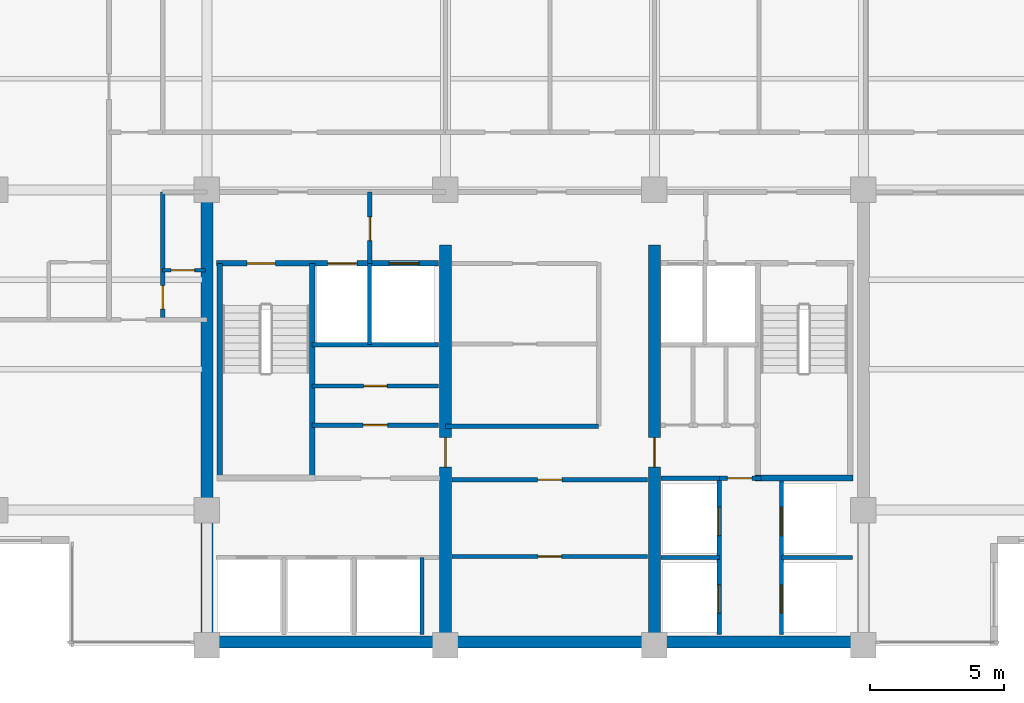
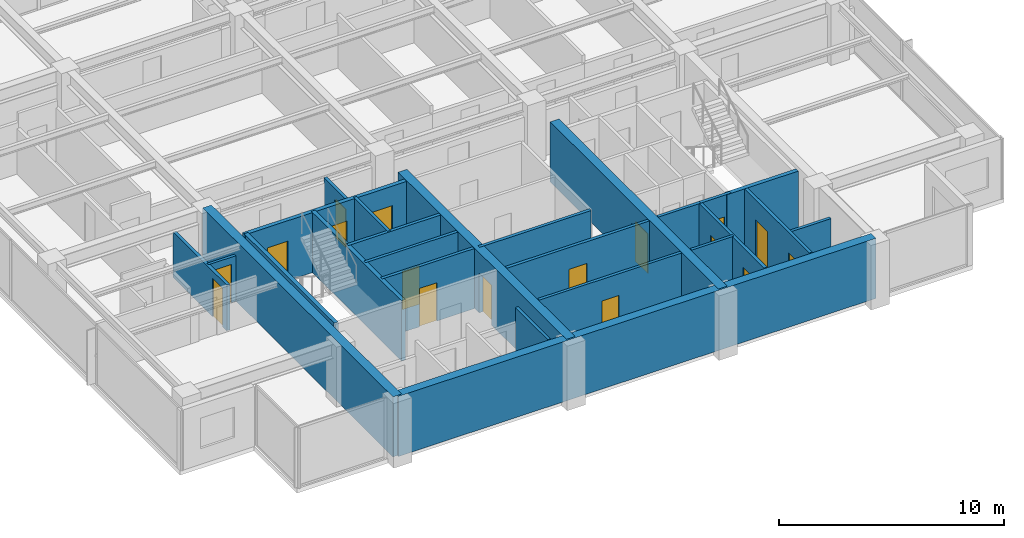
# One storey, part 7 of 15: 25 walls, 17 doors, 17 openings.
"""IFC4 building model written with IfcOpenShell, lengths in metres."""

from ifc_helpers import new_model, si_unit, direction, frame, frame_2d, origin, place, context, subcontext, project, spatial, rectangle, extrude, material, layer, layer_set, type_object, element, fill, save


model = new_model("IFC4")

# Units and contexts
model_context = context("Model", 3, precision=1e-05, world=origin(), true_north=direction((0.0, 1.0)))
body_context = subcontext(model_context, "Body", "Model", "MODEL_VIEW")
ifc_project = project(units=[si_unit("LENGTHUNIT", "METRE"), si_unit("AREAUNIT", "SQUARE_METRE"), si_unit("VOLUMEUNIT", "CUBIC_METRE"), si_unit("PLANEANGLEUNIT", "RADIAN"), si_unit("MASSUNIT", "GRAM", prefix="KILO")], contexts=[model_context])

# Site, building, storey
site_placement = place(None, origin())
site = spatial("IfcSite", under=ifc_project, at=site_placement, CompositionType="ELEMENT")
building_placement = place(site_placement, origin())
building = spatial("IfcBuilding", under=site, at=building_placement, Name="Qalmaran Belvedere Hotel", CompositionType="ELEMENT")
storey_placement = place(building_placement, frame((0.0, 0.0, 221.39990234375)))
storey = spatial("IfcBuildingStorey", under=building, at=storey_placement, Name="L56", CompositionType="ELEMENT", Elevation=221.39990234375)

# Wall
ifc_material_1 = material(Name="Concrete C50/60", Category="concrete")
ifc_layer_1 = layer(ifc_material_1, 0.449951171875, Name="Concrete C50/60")
ifc_layer_set_1 = layer_set([ifc_layer_1], Name="Concrete C50/60")
wall_type_1 = type_object("IfcWallType", Name="WL-CORE-450-C50", PredefinedType="SHEAR", material=ifc_layer_set_1)
wall_1_placement = place(storey_placement, frame((20.300048828125, 3.5, 0.0), z_axis=(0.0, 0.0, 1.0), x_axis=(0.0, 1.0, 0.0)))
element("IfcWall", 1, at=wall_1_placement, inside=storey, type_object=wall_type_1, Name="L56 West Core Shear Wall", PredefinedType="SHEAR", context=body_context, shape_type="SweptSolid", body=[
    extrude(rectangle(XDim=16.89990234375, YDim=0.449951171875, at=frame_2d((8.449951171875, 0.0))), origin(), (0.0, 0.0, 1.0), 3.260009765625),
])

# Wall, opening, door
wall_2_placement = place(storey_placement, frame((29.199951171875, 3.5, 0.0), z_axis=(0.0, 0.0, 1.0), x_axis=(0.0, 1.0, 0.0)))
wall_2 = element("IfcWall", 2, at=wall_2_placement, inside=storey, type_object=wall_type_1, Name="L56 Core West Spine Shear Wall", PredefinedType="SHEAR", context=body_context, shape_type="SweptSolid", body=[
    extrude(rectangle(XDim=14.949951171875, YDim=0.449951171875, at=frame_2d((7.47509765625, 0.0))), origin(), (0.0, 0.0, 1.0), 3.260009765625),
])
opening_1_placement = place(wall_2_placement, frame((7.75, 0.0, 0.0), z_axis=(0.0, 0.0, 1.0), x_axis=(-1.0, 0.0, 0.0)))
opening_1 = element("IfcOpeningElement", 3, at=opening_1_placement, cuts=wall_2, Name="Opening FD90", PredefinedType="OPENING", context=body_context, shape_type="SweptSolid", body=[
    extrude(rectangle(XDim=1.10009765625, YDim=2.14990234375, at=frame_2d((0.550048828125, 1.074951171875))), frame((0.0, 0.23486328125, 0.0), z_axis=(0.0, -1.0, 0.0), x_axis=(1.0, 0.0, 0.0)), (0.0, 0.0, 1.0), 0.469970703125),
])
ifc_material_2 = material(Name="Steel S355JR", Category="steel")
door_type_1 = type_object("IfcDoorType", Name="DR-FD90-1100X2150", OperationType="NOTDEFINED", PredefinedType="DOOR", material=ifc_material_2)
door_1_placement = place(opening_1_placement, origin())
door_1 = element("IfcDoor", 4, at=door_1_placement, inside=storey, type_object=door_type_1, Name="L56 Core West Cross-Lobby Door", OperationType="SINGLE_SWING_RIGHT", OverallHeight=2.14990234375, OverallWidth=1.10009765625, PredefinedType="DOOR", context=body_context, shape_type="SweptSolid", body=[
    extrude(rectangle(XDim=1.10009765625, YDim=2.14990234375, at=frame_2d((0.550048828125, 1.074951171875))), frame((0.0, 0.02490234375, 0.0), z_axis=(0.0, -1.0, 0.0), x_axis=(1.0, 0.0, 0.0)), (0.0, 0.0, 1.0), 0.050048828125),
])
fill(opening_1, door_1)

wall_3_placement = place(storey_placement, frame((37.0, 3.5, 0.0), z_axis=(0.0, 0.0, 1.0), x_axis=(0.0, 1.0, 0.0)))
wall_3 = element("IfcWall", 5, at=wall_3_placement, inside=storey, type_object=wall_type_1, Name="L56 Core East Spine Shear Wall", PredefinedType="SHEAR", context=body_context, shape_type="SweptSolid", body=[
    extrude(rectangle(XDim=14.949951171875, YDim=0.449951171875, at=frame_2d((7.47509765625, 0.0))), origin(), (0.0, 0.0, 1.0), 3.260009765625),
])
opening_2_placement = place(wall_3_placement, frame((6.64990234375, 0.0, 0.0)))
opening_2 = element("IfcOpeningElement", 6, at=opening_2_placement, cuts=wall_3, Name="Opening FD90", PredefinedType="OPENING", context=body_context, shape_type="SweptSolid", body=[
    extrude(rectangle(XDim=1.10009765625, YDim=2.14990234375, at=frame_2d((0.550048828125, 1.074951171875))), frame((0.0, 0.23486328125, 0.0), z_axis=(0.0, -1.0, 0.0), x_axis=(1.0, 0.0, 0.0)), (0.0, 0.0, 1.0), 0.469970703125),
])
door_2_placement = place(opening_2_placement, origin())
door_2 = element("IfcDoor", 7, at=door_2_placement, inside=storey, type_object=door_type_1, Name="L56 Core East Cross-Lobby Door", OperationType="SINGLE_SWING_LEFT", OverallHeight=2.14990234375, OverallWidth=1.10009765625, PredefinedType="DOOR", context=body_context, shape_type="SweptSolid", body=[
    extrude(rectangle(XDim=1.10009765625, YDim=2.14990234375, at=frame_2d((0.550048828125, 1.074951171875))), frame((0.0, 0.02490234375, 0.0), z_axis=(0.0, -1.0, 0.0), x_axis=(1.0, 0.0, 0.0)), (0.0, 0.0, 1.0), 0.050048828125),
])
fill(opening_2, door_2)

# Wall
ifc_layer_2 = layer(ifc_material_1, 0.43994140625, Name="Concrete C50/60")
ifc_layer_set_2 = layer_set([ifc_layer_2], Name="Concrete C50/60")
wall_type_2 = type_object("IfcWallType", Name="WL-CORES-440-EXT", PredefinedType="SHEAR", material=ifc_layer_set_2)
wall_4_placement = place(storey_placement, frame((20.300048828125, 3.6298828125, 0.0), z_axis=(0.0, 0.0, 1.0), x_axis=(1.0, 0.0, 0.0)))
element("IfcWall", 8, at=wall_4_placement, inside=storey, type_object=wall_type_2, Name="L56 South Core Shear Wall", PredefinedType="SHEAR", context=body_context, shape_type="SweptSolid", body=[
    extrude(rectangle(XDim=24.5, YDim=0.43994140625, at=frame_2d((12.25, 0.0))), origin(), (0.0, 0.0, 1.0), 3.260009765625),
])

# Wall, opening, door
ifc_material_3 = material(Name="Gypsum Stud Partition")
ifc_layer_3 = layer(ifc_material_3, 0.139892578125, Name="Gypsum Stud Partition")
ifc_layer_set_3 = layer_set([ifc_layer_3], Name="Gypsum Stud Partition")
wall_type_3 = type_object("IfcWallType", Name="WL-INT-140-NR", PredefinedType="PARTITIONING", material=ifc_layer_set_3)
wall_5_placement = place(storey_placement, frame((18.64990234375, 17.5, 0.0), z_axis=(0.0, 0.0, 1.0), x_axis=(1.0, 0.0, 0.0)))
wall_5 = element("IfcWall", 9, at=wall_5_placement, inside=storey, type_object=wall_type_3, Name="L56 Partition WL-L56-WCLSUB", PredefinedType="PARTITIONING", context=body_context, shape_type="SweptSolid", body=[
    extrude(rectangle(XDim=1.60009765625, YDim=0.139892578125, at=frame_2d((0.800048828125, 0.0))), origin(), (0.0, 0.0, 1.0), 2.47216796875),
])
opening_3_placement = place(wall_5_placement, frame((1.193115234375, 0.0, 0.0), z_axis=(0.0, 0.0, 1.0), x_axis=(-1.0, 0.0, 0.0)))
opening_3 = element("IfcOpeningElement", 10, at=opening_3_placement, cuts=wall_5, Name="Opening D-BATH", PredefinedType="OPENING", context=body_context, shape_type="SweptSolid", body=[
    extrude(rectangle(XDim=0.8798828125, YDim=2.080078125, at=frame_2d((0.43994140625, 1.0400390625))), frame((0.0, 0.080078125, 0.0), z_axis=(0.0, -1.0, 0.0), x_axis=(1.0, 0.0, 0.0)), (0.0, 0.0, 1.0), 0.159912109375),
])
ifc_material_4 = material(Name="Engineered Oak Veneer")
door_type_2 = type_object("IfcDoorType", Name="DR-INT-BATH-880X2080", OperationType="NOTDEFINED", PredefinedType="DOOR", material=ifc_material_4)
door_3_placement = place(opening_3_placement, origin())
door_3 = element("IfcDoor", 11, at=door_3_placement, inside=storey, type_object=door_type_2, Name="L56 Closet Alcove Door", OperationType="SINGLE_SWING_RIGHT", OverallHeight=2.080078125, OverallWidth=0.8798828125, PredefinedType="DOOR", context=body_context, shape_type="SweptSolid", body=[
    extrude(rectangle(XDim=0.8798828125, YDim=2.080078125, at=frame_2d((0.43994140625, 1.0400390625))), frame((0.0, 0.02490234375, 0.0), z_axis=(0.0, -1.0, 0.0), x_axis=(1.0, 0.0, 0.0)), (0.0, 0.0, 1.0), 0.050048828125),
])
fill(opening_3, door_3)

# Walls
ifc_layer_4 = layer(ifc_material_3, 0.14990234375, Name="Gypsum Stud Partition")
ifc_layer_set_4 = layer_set([ifc_layer_4], Name="Gypsum Stud Partition")
wall_type_4 = type_object("IfcWallType", Name="WL-INT-150-EI120", PredefinedType="PARTITIONING", material=ifc_layer_set_4)
wall_6_placement = place(storey_placement, frame((26.360107421875, 14.719970703125, 0.0), z_axis=(0.0, 0.0, 1.0), x_axis=(0.0, 1.0, 0.0)))
element("IfcWall", 12, at=wall_6_placement, inside=storey, type_object=wall_type_4, Name="L56 Partition WL-FF1M-L56", PredefinedType="PARTITIONING", context=body_context, shape_type="SweptSolid", body=[
    extrude(rectangle(XDim=3.0400390625, YDim=0.14990234375, at=frame_2d((1.52001953125, 0.0))), origin(), (0.0, 0.0, 1.0), 3.260009765625),
])
wall_7_placement = place(storey_placement, frame((28.320068359375, 3.89990234375, 0.0), z_axis=(0.0, 0.0, 1.0), x_axis=(0.0, 1.0, 0.0)))
element("IfcWall", 13, at=wall_7_placement, inside=storey, type_object=wall_type_4, Name="L56 Partition WL-POM3-L56", PredefinedType="PARTITIONING", context=body_context, shape_type="SweptSolid", body=[
    extrude(rectangle(XDim=2.880126953125, YDim=0.14990234375, at=frame_2d((1.43994140625, 0.0))), origin(), (0.0, 0.0, 1.0), 3.260009765625),
])
wall_8_placement = place(storey_placement, frame((37.25, 6.780029296875, 0.0), z_axis=(0.0, 0.0, 1.0), x_axis=(1.0, 0.0, 0.0)))
element("IfcWall", 14, at=wall_8_placement, inside=storey, type_object=wall_type_4, Name="L56 Partition WL-PHMW-L56", PredefinedType="PARTITIONING", context=body_context, shape_type="SweptSolid", body=[
    extrude(rectangle(XDim=2.169921875, YDim=0.14990234375, at=frame_2d((1.0849609375, 0.0))), origin(), (0.0, 0.0, 1.0), 3.260009765625),
])
wall_9_placement = place(storey_placement, frame((41.739990234375, 6.780029296875, 0.0), z_axis=(0.0, 0.0, 1.0), x_axis=(1.0, 0.0, 0.0)))
element("IfcWall", 15, at=wall_9_placement, inside=storey, type_object=wall_type_4, Name="L56 Partition WL-PHME-L56", PredefinedType="PARTITIONING", context=body_context, shape_type="SweptSolid", body=[
    extrude(rectangle(XDim=2.659912109375, YDim=0.14990234375, at=frame_2d((1.330078125, 0.0))), origin(), (0.0, 0.0, 1.0), 2.47216796875),
])

# Wall, opening, door
ifc_layer_5 = layer(ifc_material_3, 0.14990234375, Name="Gypsum Stud Partition")
ifc_layer_set_5 = layer_set([ifc_layer_5], Name="Gypsum Stud Partition")
wall_type_5 = type_object("IfcWallType", Name="WL-INT-150-EI60", PredefinedType="PARTITIONING", material=ifc_layer_set_5)
wall_10_placement = place(storey_placement, frame((24.219970703125, 13.18505859375, 0.0), z_axis=(0.0, 0.0, 1.0), x_axis=(1.0, 0.0, 0.0)))
wall_10 = element("IfcWall", 16, at=wall_10_placement, inside=storey, type_object=wall_type_5, Name="L56 Partition WL-L56-KWHM", PredefinedType="PARTITIONING", context=body_context, shape_type="SweptSolid", body=[
    extrude(rectangle(XDim=4.72998046875, YDim=0.14990234375, at=frame_2d((2.364990234375, 0.0))), origin(), (0.0, 0.0, 1.0), 3.260009765625),
])
opening_4_placement = place(wall_10_placement, frame((1.925048828125, 0.0, 0.0)))
opening_4 = element("IfcOpeningElement", 17, at=opening_4_placement, cuts=wall_10, Name="Opening FD60B", PredefinedType="OPENING", context=body_context, shape_type="SweptSolid", body=[
    extrude(rectangle(XDim=0.8798828125, YDim=2.080078125, at=frame_2d((0.43994140625, 1.0400390625))), frame((0.0, 0.0849609375, 0.0), z_axis=(0.0, -1.0, 0.0), x_axis=(1.0, 0.0, 0.0)), (0.0, 0.0, 1.0), 0.169921875),
])
door_type_3 = type_object("IfcDoorType", Name="DR-FD60B-880X2080", OperationType="NOTDEFINED", PredefinedType="DOOR", material=ifc_material_2)
door_4_placement = place(opening_4_placement, origin())
door_4 = element("IfcDoor", 18, at=door_4_placement, inside=storey, type_object=door_type_3, Name="L56 Staff Core WC Door", OperationType="SINGLE_SWING_RIGHT", OverallHeight=2.080078125, OverallWidth=0.8798828125, PredefinedType="DOOR", context=body_context, shape_type="SweptSolid", body=[
    extrude(rectangle(XDim=0.8798828125, YDim=2.080078125, at=frame_2d((0.43994140625, 1.0400390625))), frame((0.0, 0.02490234375, 0.0), z_axis=(0.0, -1.0, 0.0), x_axis=(1.0, 0.0, 0.0)), (0.0, 0.0, 1.0), 0.050048828125),
])
fill(opening_4, door_4)

wall_11_placement = place(storey_placement, frame((29.449951171875, 6.81494140625, 0.0), z_axis=(0.0, 0.0, 1.0), x_axis=(1.0, 0.0, 0.0)))
wall_11 = element("IfcWall", 19, at=wall_11_placement, inside=storey, type_object=wall_type_5, Name="L56 Partition WL-L56-KPLHM", PredefinedType="PARTITIONING", context=body_context, shape_type="SweptSolid", body=[
    extrude(rectangle(XDim=7.300048828125, YDim=0.14990234375, at=frame_2d((3.64990234375, 0.0))), origin(), (0.0, 0.0, 1.0), 3.260009765625),
])
opening_5_placement = place(wall_11_placement, frame((4.08984375, 0.0, 0.0), z_axis=(0.0, 0.0, 1.0), x_axis=(-1.0, 0.0, 0.0)))
opening_5 = element("IfcOpeningElement", 20, at=opening_5_placement, cuts=wall_11, Name="Opening FD60B", PredefinedType="OPENING", context=body_context, shape_type="SweptSolid", body=[
    extrude(rectangle(XDim=0.8798828125, YDim=2.080078125, at=frame_2d((0.43994140625, 1.0400390625))), frame((0.0, 0.0849609375, 0.0), z_axis=(0.0, -1.0, 0.0), x_axis=(1.0, 0.0, 0.0)), (0.0, 0.0, 1.0), 0.169921875),
])
door_5_placement = place(opening_5_placement, origin())
door_5 = element("IfcDoor", 21, at=door_5_placement, inside=storey, type_object=door_type_3, Name="L56 Housekeeping and Linen Room Door", OperationType="SINGLE_SWING_LEFT", OverallHeight=2.080078125, OverallWidth=0.8798828125, PredefinedType="DOOR", context=body_context, shape_type="SweptSolid", body=[
    extrude(rectangle(XDim=0.8798828125, YDim=2.080078125, at=frame_2d((0.43994140625, 1.0400390625))), frame((0.0, 0.02490234375, 0.0), z_axis=(0.0, -1.0, 0.0), x_axis=(1.0, 0.0, 0.0)), (0.0, 0.0, 1.0), 0.050048828125),
])
fill(opening_5, door_5)

ifc_layer_6 = layer(ifc_material_3, 0.159912109375, Name="Gypsum Stud Partition")
ifc_layer_set_6 = layer_set([ifc_layer_6], Name="Gypsum Stud Partition")
wall_type_6 = type_object("IfcWallType", Name="WL-INT-160-EI120", PredefinedType="PARTITIONING", material=ifc_layer_set_6)
wall_12_placement = place(storey_placement, frame((26.3798828125, 17.760009765625, 0.0), z_axis=(0.0, 0.0, 1.0), x_axis=(0.0, 1.0, 0.0)))
wall_12 = element("IfcWall", 22, at=wall_12_placement, inside=storey, type_object=wall_type_6, Name="L56 Partition WL-FFSV1-L56", PredefinedType="PARTITIONING", context=body_context, shape_type="SweptSolid", body=[
    extrude(rectangle(XDim=2.659912109375, YDim=0.159912109375, at=frame_2d((1.330078125, 0.0))), origin(), (0.0, 0.0, 1.0), 2.7060546875),
])
opening_6_placement = place(wall_12_placement, frame((0.85009765625, 0.0, 0.0)))
opening_6 = element("IfcOpeningElement", 23, at=opening_6_placement, cuts=wall_12, Name="Opening FD60B", PredefinedType="OPENING", context=body_context, shape_type="SweptSolid", body=[
    extrude(rectangle(XDim=0.8798828125, YDim=2.080078125, at=frame_2d((0.43994140625, 1.0400390625))), frame((0.0, 0.08984375, 0.0), z_axis=(0.0, -1.0, 0.0), x_axis=(1.0, 0.0, 0.0)), (0.0, 0.0, 1.0), 0.179931640625),
])
door_6_placement = place(opening_6_placement, origin())
door_6 = element("IfcDoor", 24, at=door_6_placement, inside=storey, type_object=door_type_3, Name="L56 Service Lobby West Door", OperationType="SINGLE_SWING_RIGHT", OverallHeight=2.080078125, OverallWidth=0.8798828125, PredefinedType="DOOR", context=body_context, shape_type="SweptSolid", body=[
    extrude(rectangle(XDim=0.8798828125, YDim=2.080078125, at=frame_2d((0.43994140625, 1.0400390625))), frame((0.0, 0.02490234375, 0.0), z_axis=(0.0, -1.0, 0.0), x_axis=(1.0, 0.0, 0.0)), (0.0, 0.0, 1.0), 0.050048828125),
])
fill(opening_6, door_6)

# Wall
wall_13_placement = place(storey_placement, frame((24.219970703125, 14.719970703125, 0.0), z_axis=(0.0, 0.0, 1.0), x_axis=(1.0, 0.0, 0.0)))
element("IfcWall", 25, at=wall_13_placement, inside=storey, type_object=wall_type_6, Name="L56 Partition WL-FF1S-L56", PredefinedType="PARTITIONING", context=body_context, shape_type="SweptSolid", body=[
    extrude(rectangle(XDim=4.72998046875, YDim=0.159912109375, at=frame_2d((2.364990234375, 0.0))), origin(), (0.0, 0.0, 1.0), 3.260009765625),
])

# Wall, openings, doors
wall_14_placement = place(storey_placement, frame((39.419921875, 3.89990234375, 0.0), z_axis=(0.0, 0.0, 1.0), x_axis=(0.0, 1.0, 0.0)))
wall_14 = element("IfcWall", 26, at=wall_14_placement, inside=storey, type_object=wall_type_6, Name="L56 Partition WL-PHW-L56", PredefinedType="PARTITIONING", context=body_context, shape_type="SweptSolid", body=[
    extrude(rectangle(XDim=5.840087890625, YDim=0.159912109375, at=frame_2d((2.919921875, 0.0))), origin(), (0.0, 0.0, 1.0), 3.260009765625),
])
opening_7_placement = place(wall_14_placement, frame((1.860107421875, 0.0, 0.0), z_axis=(0.0, 0.0, 1.0), x_axis=(-1.0, 0.0, 0.0)))
opening_7 = element("IfcOpeningElement", 27, at=opening_7_placement, cuts=wall_14, Name="Opening LD-P2", PredefinedType="OPENING", context=body_context, shape_type="SweptSolid", body=[
    extrude(rectangle(XDim=1.06005859375, YDim=2.159912109375, at=frame_2d((0.530029296875, 1.080078125))), frame((0.0, 0.08984375, 0.0), z_axis=(0.0, -1.0, 0.0), x_axis=(1.0, 0.0, 0.0)), (0.0, 0.0, 1.0), 0.179931640625),
])
opening_8_placement = place(wall_14_placement, frame((4.760009765625, 0.0, 0.0), z_axis=(0.0, 0.0, 1.0), x_axis=(-1.0, 0.0, 0.0)))
opening_8 = element("IfcOpeningElement", 28, at=opening_8_placement, cuts=wall_14, Name="Opening LD-P2", PredefinedType="OPENING", context=body_context, shape_type="SweptSolid", body=[
    extrude(rectangle(XDim=1.06005859375, YDim=2.159912109375, at=frame_2d((0.530029296875, 1.080078125))), frame((0.0, 0.08984375, 0.0), z_axis=(0.0, -1.0, 0.0), x_axis=(1.0, 0.0, 0.0)), (0.0, 0.0, 1.0), 0.179931640625),
])
ifc_material_5 = material(Name="Stainless Steel 1.4401", Category="steel")
door_type_4 = type_object("IfcDoorType", Name="DR-LIFT-P2-1060X2160", OperationType="DOUBLE_DOOR_SLIDING", PredefinedType="DOOR", material=ifc_material_5)
door_7_placement = place(opening_7_placement, origin())
door_7 = element("IfcDoor", 29, at=door_7_placement, inside=storey, type_object=door_type_4, Name="L56 PH1 Lift Landing Door", OperationType="DOUBLE_DOOR_SLIDING", OverallHeight=2.159912109375, OverallWidth=1.06005859375, PredefinedType="DOOR", context=body_context, shape_type="SweptSolid", body=[
    extrude(rectangle(XDim=1.06005859375, YDim=2.159912109375, at=frame_2d((0.530029296875, 1.080078125))), frame((0.0, 0.02490234375, 0.0), z_axis=(0.0, -1.0, 0.0), x_axis=(1.0, 0.0, 0.0)), (0.0, 0.0, 1.0), 0.050048828125),
])
fill(opening_7, door_7)
door_8_placement = place(opening_8_placement, origin())
door_8 = element("IfcDoor", 30, at=door_8_placement, inside=storey, type_object=door_type_4, Name="L56 PH2 Lift Landing Door", OperationType="DOUBLE_DOOR_SLIDING", OverallHeight=2.159912109375, OverallWidth=1.06005859375, PredefinedType="DOOR", context=body_context, shape_type="SweptSolid", body=[
    extrude(rectangle(XDim=1.06005859375, YDim=2.159912109375, at=frame_2d((0.530029296875, 1.080078125))), frame((0.0, 0.02490234375, 0.0), z_axis=(0.0, -1.0, 0.0), x_axis=(1.0, 0.0, 0.0)), (0.0, 0.0, 1.0), 0.050048828125),
])
fill(opening_8, door_8)

wall_15_placement = place(storey_placement, frame((41.739990234375, 3.89990234375, 0.0), z_axis=(0.0, 0.0, 1.0), x_axis=(0.0, 1.0, 0.0)))
wall_15 = element("IfcWall", 31, at=wall_15_placement, inside=storey, type_object=wall_type_6, Name="L56 Partition WL-PHE-L56", PredefinedType="PARTITIONING", context=body_context, shape_type="SweptSolid", body=[
    extrude(rectangle(XDim=5.840087890625, YDim=0.159912109375, at=frame_2d((2.919921875, 0.0))), origin(), (0.0, 0.0, 1.0), 3.260009765625),
])
opening_9_placement = place(wall_15_placement, frame((0.800048828125, 0.0, 0.0)))
opening_9 = element("IfcOpeningElement", 32, at=opening_9_placement, cuts=wall_15, Name="Opening LD-P2", PredefinedType="OPENING", context=body_context, shape_type="SweptSolid", body=[
    extrude(rectangle(XDim=1.06005859375, YDim=2.159912109375, at=frame_2d((0.530029296875, 1.080078125))), frame((0.0, 0.08984375, 0.0), z_axis=(0.0, -1.0, 0.0), x_axis=(1.0, 0.0, 0.0)), (0.0, 0.0, 1.0), 0.179931640625),
])
opening_10_placement = place(wall_15_placement, frame((3.699951171875, 0.0, 0.0)))
opening_10 = element("IfcOpeningElement", 33, at=opening_10_placement, cuts=wall_15, Name="Opening LD-P2", PredefinedType="OPENING", context=body_context, shape_type="SweptSolid", body=[
    extrude(rectangle(XDim=1.06005859375, YDim=2.159912109375, at=frame_2d((0.530029296875, 1.080078125))), frame((0.0, 0.08984375, 0.0), z_axis=(0.0, -1.0, 0.0), x_axis=(1.0, 0.0, 0.0)), (0.0, 0.0, 1.0), 0.179931640625),
])
door_9_placement = place(opening_9_placement, origin())
door_9 = element("IfcDoor", 34, at=door_9_placement, inside=storey, type_object=door_type_4, Name="L56 PH3 Lift Landing Door", OperationType="DOUBLE_DOOR_SLIDING", OverallHeight=2.159912109375, OverallWidth=1.06005859375, PredefinedType="DOOR", context=body_context, shape_type="SweptSolid", body=[
    extrude(rectangle(XDim=1.06005859375, YDim=2.159912109375, at=frame_2d((0.530029296875, 1.080078125))), frame((0.0, 0.02490234375, 0.0), z_axis=(0.0, -1.0, 0.0), x_axis=(1.0, 0.0, 0.0)), (0.0, 0.0, 1.0), 0.050048828125),
])
fill(opening_9, door_9)
door_10_placement = place(opening_10_placement, origin())
door_10 = element("IfcDoor", 35, at=door_10_placement, inside=storey, type_object=door_type_4, Name="L56 PH4 Lift Landing Door", OperationType="DOUBLE_DOOR_SLIDING", OverallHeight=2.159912109375, OverallWidth=1.06005859375, PredefinedType="DOOR", context=body_context, shape_type="SweptSolid", body=[
    extrude(rectangle(XDim=1.06005859375, YDim=2.159912109375, at=frame_2d((0.530029296875, 1.080078125))), frame((0.0, 0.02490234375, 0.0), z_axis=(0.0, -1.0, 0.0), x_axis=(1.0, 0.0, 0.0)), (0.0, 0.0, 1.0), 0.050048828125),
])
fill(opening_10, door_10)

# Wall
wall_16_placement = place(storey_placement, frame((37.25, 9.739990234375, 0.0), z_axis=(0.0, 0.0, 1.0), x_axis=(1.0, 0.0, 0.0)))
element("IfcWall", 36, at=wall_16_placement, inside=storey, type_object=wall_type_6, Name="L56 Partition WL-PHNW-L56", PredefinedType="PARTITIONING", context=body_context, shape_type="SweptSolid", body=[
    extrude(rectangle(XDim=2.169921875, YDim=0.159912109375, at=frame_2d((1.0849609375, 0.0))), origin(), (0.0, 0.0, 1.0), 3.260009765625),
])

# Wall, opening, door
wall_17_placement = place(storey_placement, frame((39.419921875, 9.739990234375, 0.0), z_axis=(0.0, 0.0, 1.0), x_axis=(1.0, 0.0, 0.0)))
wall_17 = element("IfcWall", 37, at=wall_17_placement, inside=storey, type_object=wall_type_6, Name="L56 Partition WL-PHNL-L56", PredefinedType="PARTITIONING", context=body_context, shape_type="SweptSolid", body=[
    extrude(rectangle(XDim=1.56005859375, YDim=0.159912109375, at=frame_2d((0.780029296875, 0.0))), origin(), (0.0, 0.0, 1.0), 3.260009765625),
])
opening_11_placement = place(wall_17_placement, frame((0.300048828125, 0.0, 0.0)))
opening_11 = element("IfcOpeningElement", 38, at=opening_11_placement, cuts=wall_17, Name="Opening FD60S1", PredefinedType="OPENING", context=body_context, shape_type="SweptSolid", body=[
    extrude(rectangle(XDim=0.919921875, YDim=2.080078125, at=frame_2d((0.4599609375, 1.0400390625))), frame((0.0, 0.08984375, 0.0), z_axis=(0.0, -1.0, 0.0), x_axis=(1.0, 0.0, 0.0)), (0.0, 0.0, 1.0), 0.179931640625),
])
door_type_5 = type_object("IfcDoorType", Name="DR-FD60S-920X2080", OperationType="NOTDEFINED", PredefinedType="DOOR", material=ifc_material_4)
door_11_placement = place(opening_11_placement, origin())
door_11 = element("IfcDoor", 39, at=door_11_placement, inside=storey, type_object=door_type_5, Name="L56 High-Rise Lift Lobby Passage Door", OperationType="SINGLE_SWING_LEFT", OverallHeight=2.080078125, OverallWidth=0.919921875, PredefinedType="DOOR", context=body_context, shape_type="SweptSolid", body=[
    extrude(rectangle(XDim=0.919921875, YDim=2.080078125, at=frame_2d((0.4599609375, 1.0400390625))), frame((0.0, 0.02490234375, 0.0), z_axis=(0.0, -1.0, 0.0), x_axis=(1.0, 0.0, 0.0)), (0.0, 0.0, 1.0), 0.050048828125),
])
fill(opening_11, door_11)

ifc_layer_7 = layer(ifc_material_3, 0.159912109375, Name="Gypsum Stud Partition")
ifc_layer_set_7 = layer_set([ifc_layer_7], Name="Gypsum Stud Partition")
wall_type_7 = type_object("IfcWallType", Name="WL-INT-160-EI60", PredefinedType="PARTITIONING", material=ifc_layer_set_7)
wall_18_placement = place(storey_placement, frame((24.219970703125, 11.719970703125, 0.0), z_axis=(0.0, 0.0, 1.0), x_axis=(1.0, 0.0, 0.0)))
wall_18 = element("IfcWall", 40, at=wall_18_placement, inside=storey, type_object=wall_type_7, Name="L56 Partition WL-L56-KWE1", PredefinedType="PARTITIONING", context=body_context, shape_type="SweptSolid", body=[
    extrude(rectangle(XDim=4.72998046875, YDim=0.159912109375, at=frame_2d((2.364990234375, 0.0))), origin(), (0.0, 0.0, 1.0), 3.260009765625),
])
opening_12_placement = place(wall_18_placement, frame((1.905029296875, 0.0, 0.0)))
opening_12 = element("IfcOpeningElement", 41, at=opening_12_placement, cuts=wall_18, Name="Opening FD60S1", PredefinedType="OPENING", context=body_context, shape_type="SweptSolid", body=[
    extrude(rectangle(XDim=0.919921875, YDim=2.080078125, at=frame_2d((0.4599609375, 1.0400390625))), frame((0.0, 0.08984375, 0.0), z_axis=(0.0, -1.0, 0.0), x_axis=(1.0, 0.0, 0.0)), (0.0, 0.0, 1.0), 0.179931640625),
])
door_12_placement = place(opening_12_placement, origin())
door_12 = element("IfcDoor", 42, at=door_12_placement, inside=storey, type_object=door_type_5, Name="L56 Cleaner Supply Store Door", OperationType="SINGLE_SWING_LEFT", OverallHeight=2.080078125, OverallWidth=0.919921875, PredefinedType="DOOR", context=body_context, shape_type="SweptSolid", body=[
    extrude(rectangle(XDim=0.919921875, YDim=2.080078125, at=frame_2d((0.4599609375, 1.0400390625))), frame((0.0, 0.02490234375, 0.0), z_axis=(0.0, -1.0, 0.0), x_axis=(1.0, 0.0, 0.0)), (0.0, 0.0, 1.0), 0.050048828125),
])
fill(opening_12, door_12)

wall_19_placement = place(storey_placement, frame((29.449951171875, 9.679931640625, 0.0), z_axis=(0.0, 0.0, 1.0), x_axis=(1.0, 0.0, 0.0)))
wall_19 = element("IfcWall", 43, at=wall_19_placement, inside=storey, type_object=wall_type_7, Name="L56 Partition WL-L56-KPLE1", PredefinedType="PARTITIONING", context=body_context, shape_type="SweptSolid", body=[
    extrude(rectangle(XDim=7.300048828125, YDim=0.159912109375, at=frame_2d((3.64990234375, 0.0))), origin(), (0.0, 0.0, 1.0), 3.260009765625),
])
opening_13_placement = place(wall_19_placement, frame((4.10986328125, 0.0, 0.0), z_axis=(0.0, 0.0, 1.0), x_axis=(-1.0, 0.0, 0.0)))
opening_13 = element("IfcOpeningElement", 44, at=opening_13_placement, cuts=wall_19, Name="Opening FD60S1", PredefinedType="OPENING", context=body_context, shape_type="SweptSolid", body=[
    extrude(rectangle(XDim=0.919921875, YDim=2.080078125, at=frame_2d((0.4599609375, 1.0400390625))), frame((0.0, 0.08984375, 0.0), z_axis=(0.0, -1.0, 0.0), x_axis=(1.0, 0.0, 0.0)), (0.0, 0.0, 1.0), 0.179931640625),
])
door_13_placement = place(opening_13_placement, origin())
door_13 = element("IfcDoor", 45, at=door_13_placement, inside=storey, type_object=door_type_5, Name="L56 Guest Valet Supply Store Door", OperationType="SINGLE_SWING_RIGHT", OverallHeight=2.080078125, OverallWidth=0.919921875, PredefinedType="DOOR", context=body_context, shape_type="SweptSolid", body=[
    extrude(rectangle(XDim=0.919921875, YDim=2.080078125, at=frame_2d((0.4599609375, 1.0400390625))), frame((0.0, 0.02490234375, 0.0), z_axis=(0.0, -1.0, 0.0), x_axis=(1.0, 0.0, 0.0)), (0.0, 0.0, 1.0), 0.050048828125),
])
fill(opening_13, door_13)

# Wall
wall_20_placement = place(storey_placement, frame((29.199951171875, 11.679931640625, 0.0), z_axis=(0.0, 0.0, 1.0), x_axis=(1.0, 0.0, 0.0)))
element("IfcWall", 46, at=wall_20_placement, inside=storey, type_object=wall_type_7, Name="L56 Partition WL-PMFS-L56", PredefinedType="PARTITIONING", context=body_context, shape_type="SweptSolid", body=[
    extrude(rectangle(XDim=5.719970703125, YDim=0.159912109375, at=frame_2d((2.85986328125, 0.0))), origin(), (0.0, 0.0, 1.0), 3.260009765625),
])

# Wall, opening, door
wall_21_placement = place(storey_placement, frame((18.64990234375, 15.64990234375, 0.0), z_axis=(0.0, 0.0, 1.0), x_axis=(0.0, 1.0, 0.0)))
wall_21 = element("IfcWall", 47, at=wall_21_placement, inside=storey, type_object=wall_type_7, Name="L56 Partition WL-L56-WCL", PredefinedType="PARTITIONING", context=body_context, shape_type="SweptSolid", body=[
    extrude(rectangle(XDim=4.77001953125, YDim=0.159912109375, at=frame_2d((2.385009765625, 0.0))), origin(), (0.0, 0.0, 1.0), 2.47216796875),
])
opening_14_placement = place(wall_21_placement, frame((1.27978515625, 0.0, 0.0), z_axis=(0.0, 0.0, 1.0), x_axis=(-1.0, 0.0, 0.0)))
opening_14 = element("IfcOpeningElement", 48, at=opening_14_placement, cuts=wall_21, Name="Opening FD60B", PredefinedType="OPENING", context=body_context, shape_type="SweptSolid", body=[
    extrude(rectangle(XDim=0.8798828125, YDim=2.080078125, at=frame_2d((0.43994140625, 1.0400390625))), frame((0.0, 0.08984375, 0.0), z_axis=(0.0, -1.0, 0.0), x_axis=(1.0, 0.0, 0.0)), (0.0, 0.0, 1.0), 0.179931640625),
])
door_14_placement = place(opening_14_placement, origin())
door_14 = element("IfcDoor", 49, at=door_14_placement, inside=storey, type_object=door_type_3, Name="L56 West Closet Door", OperationType="SINGLE_SWING_LEFT", OverallHeight=2.080078125, OverallWidth=0.8798828125, PredefinedType="DOOR", context=body_context, shape_type="SweptSolid", body=[
    extrude(rectangle(XDim=0.8798828125, YDim=2.080078125, at=frame_2d((0.43994140625, 1.0400390625))), frame((0.0, 0.02490234375, 0.0), z_axis=(0.0, -1.0, 0.0), x_axis=(1.0, 0.0, 0.0)), (0.0, 0.0, 1.0), 0.050048828125),
])
fill(opening_14, door_14)

# Walls
ifc_layer_8 = layer(ifc_material_1, 0.2099609375, Name="Concrete C50/60")
ifc_layer_set_8 = layer_set([ifc_layer_8], Name="Concrete C50/60")
wall_type_8 = type_object("IfcWallType", Name="WL-STAIR-210-C50", PredefinedType="SHEAR", material=ifc_layer_set_8)
for number, where, z_axis, x_axis, name in (
    (50, (20.77490234375, 9.7451171875, 0.0), (0.0, 0.0, 1.0), (0.0, 1.0, 0.0), "L56 Stair ST-1 West Bearing Wall"),
    (51, (24.22509765625, 9.7451171875, 0.0), (0.0, 0.0, 1.0), (0.0, 1.0, 0.0), "L56 Stair ST-1 East Bearing Wall"),
):
    element("IfcWall", number, at=place(storey_placement, frame(where, z_axis=z_axis, x_axis=x_axis)), inside=storey, type_object=wall_type_8, Name=name, PredefinedType="SHEAR", context=body_context, shape_type="SweptSolid", body=[
        extrude(rectangle(XDim=8.009765625, YDim=0.2099609375, at=frame_2d((4.0048828125, 0.0))), origin(), (0.0, 0.0, 1.0), 3.260009765625),
    ])

# Wall, openings, doors
wall_22_placement = place(storey_placement, frame((20.64990234375, 17.7548828125, 0.0), z_axis=(0.0, 0.0, 1.0), x_axis=(1.0, 0.0, 0.0)))
wall_22 = element("IfcWall", 52, at=wall_22_placement, inside=storey, type_object=wall_type_8, Name="L56 West Lobby and Stair ST-1 North Bearing Wall", PredefinedType="SHEAR", context=body_context, shape_type="SweptSolid", body=[
    extrude(rectangle(XDim=8.300048828125, YDim=0.2099609375, at=frame_2d((4.14990234375, 0.0))), origin(), (0.0, 0.0, 1.0), 3.260009765625),
])
opening_15_placement = place(wall_22_placement, frame((2.199951171875, 0.0, 0.0), z_axis=(0.0, 0.0, 1.0), x_axis=(-1.0, 0.0, 0.0)))
opening_15 = element("IfcOpeningElement", 53, at=opening_15_placement, cuts=wall_22, Name="Opening FD90S2", PredefinedType="OPENING", context=body_context, shape_type="SweptSolid", body=[
    extrude(rectangle(XDim=1.050048828125, YDim=2.14990234375, at=frame_2d((0.52490234375, 1.074951171875))), frame((0.0, 0.114990234375, 0.0), z_axis=(0.0, -1.0, 0.0), x_axis=(1.0, 0.0, 0.0)), (0.0, 0.0, 1.0), 0.22998046875),
])
opening_16_placement = place(wall_22_placement, frame((4.14990234375, 0.0, 0.0)))
opening_16 = element("IfcOpeningElement", 54, at=opening_16_placement, cuts=wall_22, Name="Opening LD-FF", PredefinedType="OPENING", context=body_context, shape_type="SweptSolid", body=[
    extrude(rectangle(XDim=1.10009765625, YDim=2.179931640625, at=frame_2d((0.550048828125, 1.08984375))), frame((0.0, 0.114990234375, 0.0), z_axis=(0.0, -1.0, 0.0), x_axis=(1.0, 0.0, 0.0)), (0.0, 0.0, 1.0), 0.22998046875),
])
opening_17_placement = place(wall_22_placement, frame((6.449951171875, 0.0, 0.0)))
opening_17 = element("IfcOpeningElement", 55, at=opening_17_placement, cuts=wall_22, Name="Opening LD-SV", PredefinedType="OPENING", context=body_context, shape_type="SweptSolid", body=[
    extrude(rectangle(XDim=1.1201171875, YDim=2.199951171875, at=frame_2d((0.56005859375, 1.10009765625))), frame((0.0, 0.114990234375, 0.0), z_axis=(0.0, -1.0, 0.0), x_axis=(1.0, 0.0, 0.0)), (0.0, 0.0, 1.0), 0.22998046875),
])
door_type_6 = type_object("IfcDoorType", Name="DR-FD90S-1050X2150", OperationType="NOTDEFINED", PredefinedType="DOOR", material=ifc_material_2)
door_15_placement = place(opening_15_placement, origin())
door_15 = element("IfcDoor", 56, at=door_15_placement, inside=storey, type_object=door_type_6, Name="L56 Stair ST-1 Door", OperationType="SINGLE_SWING_RIGHT", OverallHeight=2.14990234375, OverallWidth=1.050048828125, PredefinedType="DOOR", context=body_context, shape_type="SweptSolid", body=[
    extrude(rectangle(XDim=1.050048828125, YDim=2.14990234375, at=frame_2d((0.52490234375, 1.074951171875))), frame((0.0, 0.02490234375, 0.0), z_axis=(0.0, -1.0, 0.0), x_axis=(1.0, 0.0, 0.0)), (0.0, 0.0, 1.0), 0.050048828125),
])
fill(opening_15, door_15)
door_type_7 = type_object("IfcDoorType", Name="DR-LIFT-FF-1100X2180", OperationType="DOUBLE_DOOR_SLIDING", PredefinedType="DOOR", material=ifc_material_5)
door_16_placement = place(opening_16_placement, origin())
door_16 = element("IfcDoor", 57, at=door_16_placement, inside=storey, type_object=door_type_7, Name="L56 FF1 Lift Landing Door", OperationType="DOUBLE_DOOR_SLIDING", OverallHeight=2.179931640625, OverallWidth=1.10009765625, PredefinedType="DOOR", context=body_context, shape_type="SweptSolid", body=[
    extrude(rectangle(XDim=1.10009765625, YDim=2.179931640625, at=frame_2d((0.550048828125, 1.08984375))), frame((0.0, 0.02490234375, 0.0), z_axis=(0.0, -1.0, 0.0), x_axis=(1.0, 0.0, 0.0)), (0.0, 0.0, 1.0), 0.050048828125),
])
fill(opening_16, door_16)
door_type_8 = type_object("IfcDoorType", Name="DR-LIFT-SV-1120X2200", OperationType="DOUBLE_DOOR_SLIDING", PredefinedType="DOOR", material=ifc_material_5)
door_17_placement = place(opening_17_placement, origin())
door_17 = element("IfcDoor", 58, at=door_17_placement, inside=storey, type_object=door_type_8, Name="L56 SV1 Lift Landing Door", OperationType="DOUBLE_DOOR_SLIDING", OverallHeight=2.199951171875, OverallWidth=1.1201171875, PredefinedType="DOOR", context=body_context, shape_type="SweptSolid", body=[
    extrude(rectangle(XDim=1.1201171875, YDim=2.199951171875, at=frame_2d((0.56005859375, 1.10009765625))), frame((0.0, 0.02490234375, 0.0), z_axis=(0.0, -1.0, 0.0), x_axis=(1.0, 0.0, 0.0)), (0.0, 0.0, 1.0), 0.050048828125),
])
fill(opening_17, door_17)

# Wall
wall_23_placement = place(storey_placement, frame((40.75, 9.7451171875, 0.0), z_axis=(0.0, 0.0, 1.0), x_axis=(1.0, 0.0, 0.0)))
element("IfcWall", 59, at=wall_23_placement, inside=storey, type_object=wall_type_8, Name="L56 Stair ST-2 South Bearing Wall", PredefinedType="SHEAR", context=body_context, shape_type="SweptSolid", body=[
    extrude(rectangle(XDim=3.659912109375, YDim=0.2099609375, at=frame_2d((1.830078125, 0.0))), origin(), (0.0, 0.0, 1.0), 3.260009765625),
])

save(model, "model.ifc")
